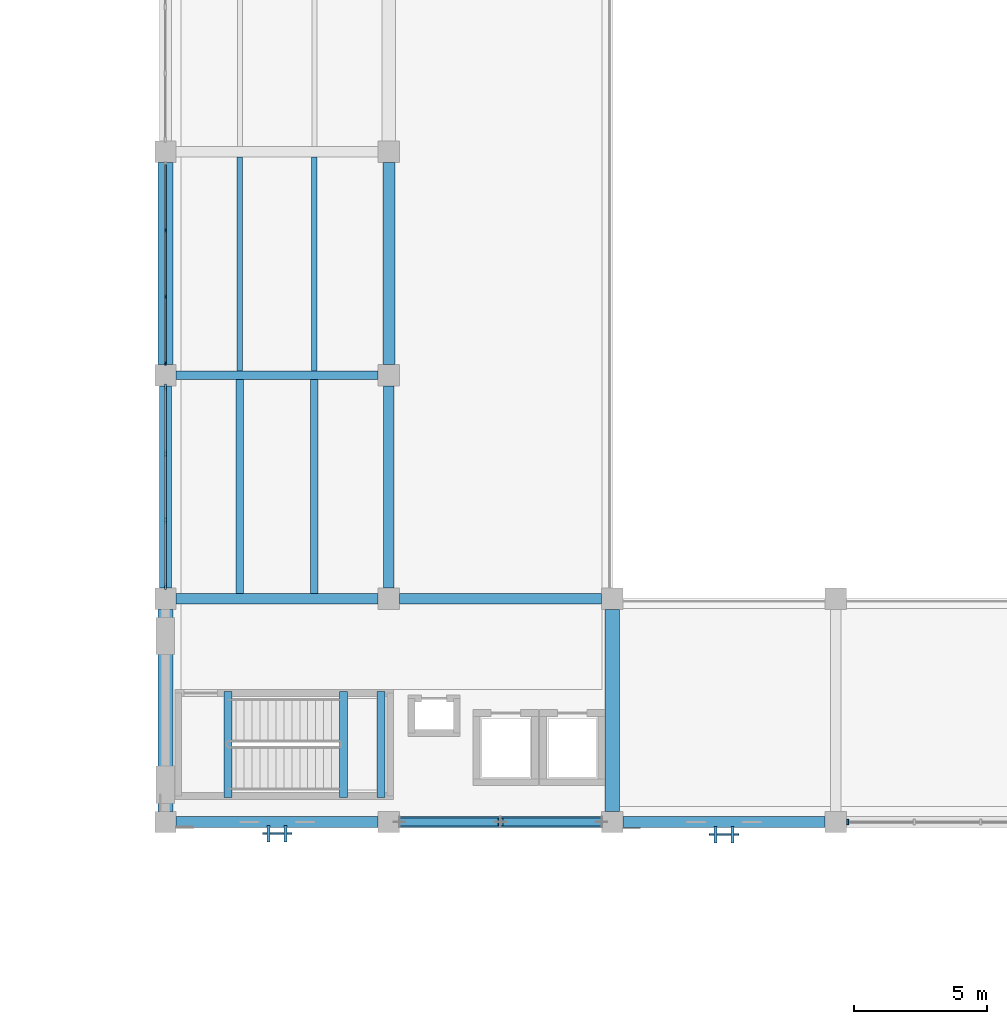
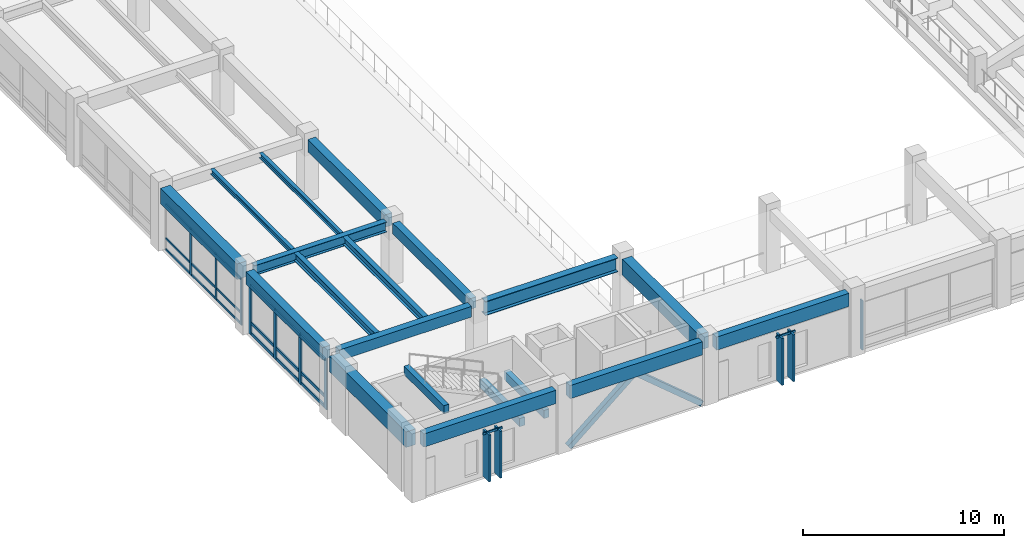
# One storey, part 9 of 132: 34 members, 19 beams, 5 elements without a shape of their own.
"""IFC4 building model written with IfcOpenShell, lengths in metres."""

from ifc_helpers import new_model, si_unit, direction, frame, origin, origin_2d, place, context, subcontext, project, spatial, rectangle, hollow_rectangle, i_section, extrude, material, material_profile, profile_set, type_object, element, aggregate, save


model = new_model("IFC4")

# Units and contexts
model_context = context("Model", 3, precision=1e-05, world=origin(), true_north=direction((0.0, 1.0)))
body_context = subcontext(model_context, "Body", "Model", "MODEL_VIEW")
ifc_project = project(units=[si_unit("LENGTHUNIT", "METRE"), si_unit("AREAUNIT", "SQUARE_METRE"), si_unit("VOLUMEUNIT", "CUBIC_METRE"), si_unit("PLANEANGLEUNIT", "RADIAN"), si_unit("MASSUNIT", "GRAM", prefix="KILO")], contexts=[model_context])

# Site, building, storey
site_placement = place(None, origin())
site = spatial("IfcSite", under=ifc_project, at=site_placement, CompositionType="ELEMENT")
building_placement = place(site_placement, origin())
building = spatial("IfcBuilding", under=site, at=building_placement, Name="Cumbredor Promenade Congress Hotel", CompositionType="ELEMENT")
storey_placement = place(building_placement, frame((0.0, 0.0, 7.56005859375)))
storey = spatial("IfcBuildingStorey", under=building, at=storey_placement, Name="L02", CompositionType="ELEMENT", Elevation=7.56005859375)

# Beams
ifc_material_1 = material(Name="Concrete C40/50", Category="concrete")
ifc_material_profile_1 = material_profile(ifc_material_1, rectangle(XDim=0.39990234375, YDim=0.64990234375, at=origin_2d()), Name="RC BEAM 400x650")
ifc_profile_set_1 = profile_set([ifc_material_profile_1], Name="Concrete C40/50")
beam_type_1 = type_object("IfcBeamType", Name="BM-RC-400x650", PredefinedType="BEAM", material=ifc_profile_set_1)
beam_1_placement = place(storey_placement, frame((8.800048828125, 16.800048828125, 3.474853515625), z_axis=(1.0, 0.0, 0.0), x_axis=(0.0, 1.0, 0.0)))
element("IfcBeam", 1, at=beam_1_placement, inside=storey, type_object=beam_type_1, Name="L03 X-Grid Beam 012", PredefinedType="BEAM", context=body_context, shape_type="SweptSolid", body=[
    extrude(rectangle(XDim=0.39990234375, YDim=0.64990234375, at=origin_2d()), origin(), (0.0, 0.0, 1.0), 7.599853515625),
])
beam_2_placement = place(storey_placement, frame((16.800048828125, 17.199951171875, 3.474853515625), z_axis=(0.0, 1.0, 0.0), x_axis=(-1.0, 0.0, 0.0)))
element("IfcBeam", 2, at=beam_2_placement, inside=storey, type_object=beam_type_1, Name="L03 Y-Grid Beam 036", PredefinedType="BEAM", context=body_context, shape_type="SweptSolid", body=[
    extrude(rectangle(XDim=0.39990234375, YDim=0.64990234375, at=origin_2d()), origin(), (0.0, 0.0, 1.0), 7.60009765625),
])
ifc_material_profile_2 = material_profile(ifc_material_1, rectangle(XDim=0.449951171875, YDim=0.75, at=origin_2d()), Name="RC BEAM 450x750")
ifc_profile_set_2 = profile_set([ifc_material_profile_2], Name="Concrete C40/50")
beam_type_2 = type_object("IfcBeamType", Name="BM-RC-450x750", PredefinedType="BEAM", material=ifc_profile_set_2)
beam_3_placement = place(storey_placement, frame((8.39990234375, 17.199951171875, 3.425048828125), z_axis=(0.0, 1.0, 0.0), x_axis=(-1.0, 0.0, 0.0)))
element("IfcBeam", 3, at=beam_3_placement, inside=storey, type_object=beam_type_2, Name="L03 Y-Grid Beam 013", PredefinedType="BEAM", context=body_context, shape_type="SweptSolid", body=[
    extrude(rectangle(XDim=0.449951171875, YDim=0.75, at=origin_2d()), origin(), (0.0, 0.0, 1.0), 7.60009765625),
])
beam_4_placement = place(storey_placement, frame((16.800048828125, 25.60009765625, 3.425048828125), z_axis=(0.0, 1.0, 0.0), x_axis=(-1.0, 0.0, 0.0)))
element("IfcBeam", 4, at=beam_4_placement, inside=storey, type_object=beam_type_2, Name="L03 Y-Grid Beam 037", PredefinedType="BEAM", context=body_context, shape_type="SweptSolid", body=[
    extrude(rectangle(XDim=0.449951171875, YDim=0.75, at=origin_2d()), origin(), (0.0, 0.0, 1.0), 7.599853515625),
])
ifc_material_profile_3 = material_profile(ifc_material_1, rectangle(XDim=0.550048828125, YDim=0.949951171875, at=origin_2d()), Name="RC BEAM 550x950")
ifc_profile_set_3 = profile_set([ifc_material_profile_3], Name="Concrete C40/50")
beam_type_3 = type_object("IfcBeamType", Name="BM-RC-550x950", PredefinedType="BEAM", material=ifc_profile_set_3)
for number, where, z_axis, x_axis, name in (
    (5, (8.39990234375, 8.800048828125, 3.324951171875), (0.0, 1.0, 0.0), (-1.0, 0.0, 0.0), "L03 Y-Grid Beam 011"),
    (6, (8.39990234375, 25.60009765625, 3.324951171875), (0.0, 1.0, 0.0), (-1.0, 0.0, 0.0), "L03 Y-Grid Beam 015"),
    (7, (25.199951171875, 8.800048828125, 3.324951171875), (0.0, 1.0, 0.0), (-1.0, 0.0, 0.0), "L03 Y-Grid Beam 051"),
):
    element("IfcBeam", number, at=place(storey_placement, frame(where, z_axis=z_axis, x_axis=x_axis)), inside=storey, type_object=beam_type_3, Name=name, PredefinedType="BEAM", context=body_context, shape_type="SweptSolid", body=[
        extrude(rectangle(XDim=0.550048828125, YDim=0.949951171875, at=origin_2d()), origin(), (0.0, 0.0, 1.0), 7.599853515625),
    ])
ifc_material_2 = material(Name="Steel ASTM A992 Grade 50", Category="steel")
ifc_material_profile_4 = material_profile(ifc_material_2, i_section(OverallWidth=0.323974609375, OverallDepth=0.611083984375, WebThickness=0.0126953125, FlangeThickness=0.01904296875, at=origin_2d()), Name="W24X104")
ifc_profile_set_4 = profile_set([ifc_material_profile_4], Name="Steel ASTM A992 Grade 50")
beam_type_4 = type_object("IfcBeamType", Name="BM-W24X104", PredefinedType="BEAM", material=ifc_profile_set_4)
beam_5_placement = place(storey_placement, frame((8.800048828125, 25.199951171875, 3.494384765625), z_axis=(1.0, 0.0, 0.0), x_axis=(0.0, 1.0, 0.0)))
element("IfcBeam", 8, at=beam_5_placement, inside=storey, type_object=beam_type_4, Name="L03 X-Grid Beam 014", PredefinedType="BEAM", context=body_context, shape_type="SweptSolid", body=[
    extrude(i_section(OverallWidth=0.323974609375, OverallDepth=0.611083984375, WebThickness=0.0126953125, FlangeThickness=0.01904296875, at=origin_2d()), origin(), (0.0, 0.0, 1.0), 7.599853515625),
])
ifc_material_profile_5 = material_profile(ifc_material_2, i_section(OverallWidth=0.39990234375, OverallDepth=0.85498046875, WebThickness=0.018310546875, FlangeThickness=0.029296875, at=origin_2d()), Name="W33X201")
ifc_profile_set_5 = profile_set([ifc_material_profile_5], Name="Steel ASTM A992 Grade 50")
beam_type_5 = type_object("IfcBeamType", Name="BM-W33X201", PredefinedType="BEAM", material=ifc_profile_set_5)
beam_6_placement = place(storey_placement, frame((17.199951171875, 16.800048828125, 3.37255859375), z_axis=(1.0, 0.0, 0.0), x_axis=(0.0, 1.0, 0.0)))
element("IfcBeam", 9, at=beam_6_placement, inside=storey, type_object=beam_type_5, Name="L03 X-Grid Beam 035", PredefinedType="BEAM", context=body_context, shape_type="SweptSolid", body=[
    extrude(i_section(OverallWidth=0.39990234375, OverallDepth=0.85498046875, WebThickness=0.018310546875, FlangeThickness=0.029296875, at=origin_2d()), origin(), (0.0, 0.0, 1.0), 7.60009765625),
])

# Curtain wall, members
ifc_material_3 = material(Name="Thermally broken anodized aluminium and low-E glass", Category="aluminium")
curtain_wall_type_1 = type_object("IfcCurtainWallType", Name="Unitised Bronze Curtain Wall CW-01", PredefinedType="NOTDEFINED", material=ifc_material_3)
curtain_wall_1_placement = place(storey_placement, origin())
curtain_wall_1 = element("IfcCurtainWall", 10, at=curtain_wall_1_placement, inside=storey, type_object=curtain_wall_type_1, Name="L02 Plenary Congress Hall West Curtain Wall 3", PredefinedType="NOTDEFINED")
ifc_material_4 = material(Name="Thermally broken anodized aluminium", Category="aluminium")
ifc_material_profile_6 = material_profile(ifc_material_4, rectangle(XDim=0.06494140625, YDim=0.159912109375, at=origin_2d()), Name="ALU MULLION 65x160")
ifc_profile_set_6 = profile_set([ifc_material_profile_6], Name="Thermally broken anodized aluminium")
member_type_1 = type_object("IfcMemberType", Name="Curtain Wall Mullion ML-01", PredefinedType="MULLION", material=ifc_profile_set_6)
member_1_placement = place(storey_placement, frame((8.39990234375, 25.655029296875, -0.008056640625), z_axis=(0.0, 0.0, 1.0), x_axis=(1.0, 0.0, 0.0)))
member_1 = element("IfcMember", 11, at=member_1_placement, type_object=member_type_1, Name="L02 Plenary Congress Hall West Curtain Wall 3 Mullion 1", PredefinedType="MULLION", context=body_context, shape_type="SweptSolid", body=[
    extrude(rectangle(XDim=0.06494140625, YDim=0.159912109375, at=origin_2d()), origin(), (0.0, 0.0, 1.0), 2.85107421875),
])
member_2_placement = place(storey_placement, frame((8.39990234375, 28.151611328125, -0.008056640625), z_axis=(0.0, 0.0, 1.0), x_axis=(1.0, 0.0, 0.0)))
member_2 = element("IfcMember", 12, at=member_2_placement, type_object=member_type_1, Name="L02 Plenary Congress Hall West Curtain Wall 3 Mullion 2", PredefinedType="MULLION", context=body_context, shape_type="SweptSolid", body=[
    extrude(rectangle(XDim=0.06494140625, YDim=0.159912109375, at=origin_2d()), origin(), (0.0, 0.0, 1.0), 2.85107421875),
])
member_3_placement = place(storey_placement, frame((8.39990234375, 30.648193359375, -0.008056640625), z_axis=(0.0, 0.0, 1.0), x_axis=(1.0, 0.0, 0.0)))
member_3 = element("IfcMember", 13, at=member_3_placement, type_object=member_type_1, Name="L02 Plenary Congress Hall West Curtain Wall 3 Mullion 3", PredefinedType="MULLION", context=body_context, shape_type="SweptSolid", body=[
    extrude(rectangle(XDim=0.06494140625, YDim=0.159912109375, at=origin_2d()), origin(), (0.0, 0.0, 1.0), 2.85107421875),
])

# Curtain wall, member
curtain_wall_2_placement = place(storey_placement, origin())
curtain_wall_2 = element("IfcCurtainWall", 14, at=curtain_wall_2_placement, inside=storey, type_object=curtain_wall_type_1, Name="L02 Plenary Congress Hall South Curtain Wall 4", PredefinedType="NOTDEFINED")
ifc_material_profile_7 = material_profile(ifc_material_4, rectangle(XDim=0.074951171875, YDim=0.199951171875, at=origin_2d()), Name="ALU MULLION 75x200")
ifc_profile_set_7 = profile_set([ifc_material_profile_7], Name="Thermally broken anodized aluminium")
member_type_2 = type_object("IfcMemberType", Name="Curtain Wall Mullion ML-02", PredefinedType="MULLION", material=ifc_profile_set_7)
member_4_placement = place(storey_placement, frame((34.054931640625, 8.39990234375, -0.008056640625), z_axis=(0.0, 0.0, 1.0), x_axis=(1.0, 0.0, 0.0)))
member_4 = element("IfcMember", 15, at=member_4_placement, type_object=member_type_2, Name="L02 Plenary Congress Hall South Curtain Wall 4 Mullion 1", PredefinedType="MULLION", context=body_context, shape_type="SweptSolid", body=[
    extrude(rectangle(XDim=0.074951171875, YDim=0.199951171875, at=origin_2d()), origin(), (0.0, 0.0, 1.0), 3.0009765625),
])
aggregate(curtain_wall_2, [member_4])

# Curtain wall, members
curtain_wall_3_placement = place(storey_placement, origin())
curtain_wall_3 = element("IfcCurtainWall", 16, at=curtain_wall_3_placement, inside=storey, type_object=curtain_wall_type_1, Name="L02 Plenary Congress Hall West Curtain Wall 2", PredefinedType="NOTDEFINED")
ifc_material_profile_8 = material_profile(ifc_material_4, rectangle(XDim=0.080078125, YDim=0.239990234375, at=origin_2d()), Name="ALU MULLION 80x240")
ifc_profile_set_8 = profile_set([ifc_material_profile_8], Name="Thermally broken anodized aluminium")
member_type_3 = type_object("IfcMemberType", Name="Curtain Wall Mullion ML-03", PredefinedType="MULLION", material=ifc_profile_set_8)
member_5_placement = place(storey_placement, frame((8.39990234375, 17.2548828125, -0.008056640625), z_axis=(0.0, 0.0, 1.0), x_axis=(1.0, 0.0, 0.0)))
member_5 = element("IfcMember", 17, at=member_5_placement, type_object=member_type_3, Name="L02 Plenary Congress Hall West Curtain Wall 2 Mullion 1", PredefinedType="MULLION", context=body_context, shape_type="SweptSolid", body=[
    extrude(rectangle(XDim=0.080078125, YDim=0.239990234375, at=origin_2d()), origin(), (0.0, 0.0, 1.0), 3.051025390625),
])
member_6_placement = place(storey_placement, frame((8.39990234375, 19.751708984375, -0.008056640625), z_axis=(0.0, 0.0, 1.0), x_axis=(1.0, 0.0, 0.0)))
member_6 = element("IfcMember", 18, at=member_6_placement, type_object=member_type_3, Name="L02 Plenary Congress Hall West Curtain Wall 2 Mullion 2", PredefinedType="MULLION", context=body_context, shape_type="SweptSolid", body=[
    extrude(rectangle(XDim=0.080078125, YDim=0.239990234375, at=origin_2d()), origin(), (0.0, 0.0, 1.0), 3.051025390625),
])
member_7_placement = place(storey_placement, frame((8.39990234375, 22.248291015625, -0.008056640625), z_axis=(0.0, 0.0, 1.0), x_axis=(1.0, 0.0, 0.0)))
member_7 = element("IfcMember", 19, at=member_7_placement, type_object=member_type_3, Name="L02 Plenary Congress Hall West Curtain Wall 2 Mullion 3", PredefinedType="MULLION", context=body_context, shape_type="SweptSolid", body=[
    extrude(rectangle(XDim=0.080078125, YDim=0.239990234375, at=origin_2d()), origin(), (0.0, 0.0, 1.0), 3.051025390625),
])
member_8_placement = place(storey_placement, frame((8.39990234375, 24.7451171875, -0.008056640625), z_axis=(0.0, 0.0, 1.0), x_axis=(1.0, 0.0, 0.0)))
member_8 = element("IfcMember", 20, at=member_8_placement, type_object=member_type_3, Name="L02 Plenary Congress Hall West Curtain Wall 2 Mullion 4", PredefinedType="MULLION", context=body_context, shape_type="SweptSolid", body=[
    extrude(rectangle(XDim=0.080078125, YDim=0.239990234375, at=origin_2d()), origin(), (0.0, 0.0, 1.0), 3.051025390625),
])

# Curtain wall, member
curtain_wall_type_2 = type_object("IfcCurtainWallType", Name="Solar Brise-Soleil Screen Assembly CW-07", PredefinedType="NOTDEFINED", material=ifc_material_3)
curtain_wall_4_placement = place(storey_placement, origin())
curtain_wall_4 = element("IfcCurtainWall", 21, at=curtain_wall_4_placement, inside=storey, type_object=curtain_wall_type_2, Name="L02 Pier Brise-Soleil Screen 0352", PredefinedType="NOTDEFINED")
ifc_material_profile_9 = material_profile(ifc_material_4, rectangle(XDim=0.06494140625, YDim=0.1298828125, at=origin_2d()), Name="ALU TRANSOM 65x130")
ifc_profile_set_9 = profile_set([ifc_material_profile_9], Name="Thermally broken anodized aluminium")
member_type_4 = type_object("IfcMemberType", Name="Curtain Wall Transom TR-01", PredefinedType="USERDEFINED", material=ifc_profile_set_9)
member_9_placement = place(storey_placement, frame((12.050048828125, 7.965087890625, 2.824951171875), z_axis=(1.0, 0.0, 0.0), x_axis=(0.0, 1.0, 0.0)))
member_9 = element("IfcMember", 22, at=member_9_placement, type_object=member_type_4, Name="L02 Pier Brise-Soleil Header 0354", ObjectType="TRANSOM", PredefinedType="USERDEFINED", context=body_context, shape_type="SweptSolid", body=[
    extrude(rectangle(XDim=0.06494140625, YDim=0.1298828125, at=origin_2d()), origin(), (0.0, 0.0, 1.0), 1.099853515625),
])

curtain_wall_5_placement = place(storey_placement, origin())
curtain_wall_5 = element("IfcCurtainWall", 23, at=curtain_wall_5_placement, inside=storey, type_object=curtain_wall_type_2, Name="L02 Pier Brise-Soleil Screen 0355", PredefinedType="NOTDEFINED")
member_10_placement = place(storey_placement, frame((28.85009765625, 7.927490234375, 2.824951171875), z_axis=(1.0, 0.0, 0.0), x_axis=(0.0, 1.0, 0.0)))
member_10 = element("IfcMember", 24, at=member_10_placement, type_object=member_type_4, Name="L02 Pier Brise-Soleil Header 0357", ObjectType="TRANSOM", PredefinedType="USERDEFINED", context=body_context, shape_type="SweptSolid", body=[
    extrude(rectangle(XDim=0.06494140625, YDim=0.1298828125, at=origin_2d()), origin(), (0.0, 0.0, 1.0), 1.099853515625),
])

# Member
member_11_placement = place(storey_placement, frame((8.39990234375, 25.6875, 0.06005859375), z_axis=(0.0, 1.0, 0.0), x_axis=(-1.0, 0.0, 0.0)))
member_11 = element("IfcMember", 25, at=member_11_placement, type_object=member_type_4, Name="L02 Plenary Congress Hall West Curtain Wall 3 Transom 1.1", ObjectType="TRANSOM", PredefinedType="USERDEFINED", context=body_context, shape_type="SweptSolid", body=[
    extrude(rectangle(XDim=0.06494140625, YDim=0.1298828125, at=origin_2d()), origin(), (0.0, 0.0, 1.0), 2.431640625),
])

member_12_placement = place(storey_placement, frame((8.39990234375, 25.6875, 0.719970703125), z_axis=(0.0, 1.0, 0.0), x_axis=(-1.0, 0.0, 0.0)))
member_12 = element("IfcMember", 26, at=member_12_placement, type_object=member_type_4, Name="L02 Plenary Congress Hall West Curtain Wall 3 Transom 1.2", ObjectType="TRANSOM", PredefinedType="USERDEFINED", context=body_context, shape_type="SweptSolid", body=[
    extrude(rectangle(XDim=0.06494140625, YDim=0.1298828125, at=origin_2d()), origin(), (0.0, 0.0, 1.0), 2.431640625),
])

member_13_placement = place(storey_placement, frame((8.39990234375, 25.6875, 2.77001953125), z_axis=(0.0, 1.0, 0.0), x_axis=(-1.0, 0.0, 0.0)))
member_13 = element("IfcMember", 27, at=member_13_placement, type_object=member_type_4, Name="L02 Plenary Congress Hall West Curtain Wall 3 Transom 1.3", ObjectType="TRANSOM", PredefinedType="USERDEFINED", context=body_context, shape_type="SweptSolid", body=[
    extrude(rectangle(XDim=0.06494140625, YDim=0.1298828125, at=origin_2d()), origin(), (0.0, 0.0, 1.0), 2.431640625),
])

member_14_placement = place(storey_placement, frame((8.39990234375, 28.18408203125, 0.06005859375), z_axis=(0.0, 1.0, 0.0), x_axis=(-1.0, 0.0, 0.0)))
member_14 = element("IfcMember", 28, at=member_14_placement, type_object=member_type_4, Name="L02 Plenary Congress Hall West Curtain Wall 3 Transom 2.1", ObjectType="TRANSOM", PredefinedType="USERDEFINED", context=body_context, shape_type="SweptSolid", body=[
    extrude(rectangle(XDim=0.06494140625, YDim=0.1298828125, at=origin_2d()), origin(), (0.0, 0.0, 1.0), 2.431640625),
])

member_15_placement = place(storey_placement, frame((8.39990234375, 28.18408203125, 0.719970703125), z_axis=(0.0, 1.0, 0.0), x_axis=(-1.0, 0.0, 0.0)))
member_15 = element("IfcMember", 29, at=member_15_placement, type_object=member_type_4, Name="L02 Plenary Congress Hall West Curtain Wall 3 Transom 2.2", ObjectType="TRANSOM", PredefinedType="USERDEFINED", context=body_context, shape_type="SweptSolid", body=[
    extrude(rectangle(XDim=0.06494140625, YDim=0.1298828125, at=origin_2d()), origin(), (0.0, 0.0, 1.0), 2.431640625),
])

member_16_placement = place(storey_placement, frame((8.39990234375, 28.18408203125, 2.77001953125), z_axis=(0.0, 1.0, 0.0), x_axis=(-1.0, 0.0, 0.0)))
member_16 = element("IfcMember", 30, at=member_16_placement, type_object=member_type_4, Name="L02 Plenary Congress Hall West Curtain Wall 3 Transom 2.3", ObjectType="TRANSOM", PredefinedType="USERDEFINED", context=body_context, shape_type="SweptSolid", body=[
    extrude(rectangle(XDim=0.06494140625, YDim=0.1298828125, at=origin_2d()), origin(), (0.0, 0.0, 1.0), 2.431640625),
])

member_17_placement = place(storey_placement, frame((8.39990234375, 30.680908203125, 0.06005859375), z_axis=(0.0, 1.0, 0.0), x_axis=(-1.0, 0.0, 0.0)))
member_17 = element("IfcMember", 31, at=member_17_placement, type_object=member_type_4, Name="L02 Plenary Congress Hall West Curtain Wall 3 Transom 3.1", ObjectType="TRANSOM", PredefinedType="USERDEFINED", context=body_context, shape_type="SweptSolid", body=[
    extrude(rectangle(XDim=0.06494140625, YDim=0.1298828125, at=origin_2d()), origin(), (0.0, 0.0, 1.0), 2.431640625),
])

member_18_placement = place(storey_placement, frame((8.39990234375, 30.680908203125, 0.719970703125), z_axis=(0.0, 1.0, 0.0), x_axis=(-1.0, 0.0, 0.0)))
member_18 = element("IfcMember", 32, at=member_18_placement, type_object=member_type_4, Name="L02 Plenary Congress Hall West Curtain Wall 3 Transom 3.2", ObjectType="TRANSOM", PredefinedType="USERDEFINED", context=body_context, shape_type="SweptSolid", body=[
    extrude(rectangle(XDim=0.06494140625, YDim=0.1298828125, at=origin_2d()), origin(), (0.0, 0.0, 1.0), 2.431640625),
])

member_19_placement = place(storey_placement, frame((8.39990234375, 30.680908203125, 2.77001953125), z_axis=(0.0, 1.0, 0.0), x_axis=(-1.0, 0.0, 0.0)))
member_19 = element("IfcMember", 33, at=member_19_placement, type_object=member_type_4, Name="L02 Plenary Congress Hall West Curtain Wall 3 Transom 3.3", ObjectType="TRANSOM", PredefinedType="USERDEFINED", context=body_context, shape_type="SweptSolid", body=[
    extrude(rectangle(XDim=0.06494140625, YDim=0.1298828125, at=origin_2d()), origin(), (0.0, 0.0, 1.0), 2.431640625),
])

aggregate(curtain_wall_1, [member_1, member_2, member_3, member_11, member_12, member_13, member_14, member_15, member_16, member_17, member_18, member_19])

ifc_material_profile_10 = material_profile(ifc_material_4, rectangle(XDim=0.080078125, YDim=0.179931640625, at=origin_2d()), Name="ALU TRANSOM 80x180")
ifc_profile_set_10 = profile_set([ifc_material_profile_10], Name="Thermally broken anodized aluminium")
member_type_5 = type_object("IfcMemberType", Name="Curtain Wall Transom TR-03", PredefinedType="USERDEFINED", material=ifc_profile_set_10)
member_20_placement = place(storey_placement, frame((8.39990234375, 17.294921875, 0.08984375), z_axis=(0.0, 1.0, 0.0), x_axis=(-1.0, 0.0, 0.0)))
member_20 = element("IfcMember", 34, at=member_20_placement, type_object=member_type_5, Name="L02 Plenary Congress Hall West Curtain Wall 2 Transom 1.1", ObjectType="TRANSOM", PredefinedType="USERDEFINED", context=body_context, shape_type="SweptSolid", body=[
    extrude(rectangle(XDim=0.080078125, YDim=0.179931640625, at=origin_2d()), origin(), (0.0, 0.0, 1.0), 2.416748046875),
])

member_21_placement = place(storey_placement, frame((8.39990234375, 17.294921875, 0.719970703125), z_axis=(0.0, 1.0, 0.0), x_axis=(-1.0, 0.0, 0.0)))
member_21 = element("IfcMember", 35, at=member_21_placement, type_object=member_type_5, Name="L02 Plenary Congress Hall West Curtain Wall 2 Transom 1.2", ObjectType="TRANSOM", PredefinedType="USERDEFINED", context=body_context, shape_type="SweptSolid", body=[
    extrude(rectangle(XDim=0.080078125, YDim=0.179931640625, at=origin_2d()), origin(), (0.0, 0.0, 1.0), 2.416748046875),
])

member_22_placement = place(storey_placement, frame((8.39990234375, 17.294921875, 2.949951171875), z_axis=(0.0, 1.0, 0.0), x_axis=(-1.0, 0.0, 0.0)))
member_22 = element("IfcMember", 36, at=member_22_placement, type_object=member_type_5, Name="L02 Plenary Congress Hall West Curtain Wall 2 Transom 1.3", ObjectType="TRANSOM", PredefinedType="USERDEFINED", context=body_context, shape_type="SweptSolid", body=[
    extrude(rectangle(XDim=0.080078125, YDim=0.179931640625, at=origin_2d()), origin(), (0.0, 0.0, 1.0), 2.416748046875),
])

member_23_placement = place(storey_placement, frame((8.39990234375, 19.791748046875, 0.08984375), z_axis=(0.0, 1.0, 0.0), x_axis=(-1.0, 0.0, 0.0)))
member_23 = element("IfcMember", 37, at=member_23_placement, type_object=member_type_5, Name="L02 Plenary Congress Hall West Curtain Wall 2 Transom 2.1", ObjectType="TRANSOM", PredefinedType="USERDEFINED", context=body_context, shape_type="SweptSolid", body=[
    extrude(rectangle(XDim=0.080078125, YDim=0.179931640625, at=origin_2d()), origin(), (0.0, 0.0, 1.0), 2.41650390625),
])

member_24_placement = place(storey_placement, frame((8.39990234375, 19.791748046875, 0.719970703125), z_axis=(0.0, 1.0, 0.0), x_axis=(-1.0, 0.0, 0.0)))
member_24 = element("IfcMember", 38, at=member_24_placement, type_object=member_type_5, Name="L02 Plenary Congress Hall West Curtain Wall 2 Transom 2.2", ObjectType="TRANSOM", PredefinedType="USERDEFINED", context=body_context, shape_type="SweptSolid", body=[
    extrude(rectangle(XDim=0.080078125, YDim=0.179931640625, at=origin_2d()), origin(), (0.0, 0.0, 1.0), 2.41650390625),
])

member_25_placement = place(storey_placement, frame((8.39990234375, 19.791748046875, 2.949951171875), z_axis=(0.0, 1.0, 0.0), x_axis=(-1.0, 0.0, 0.0)))
member_25 = element("IfcMember", 39, at=member_25_placement, type_object=member_type_5, Name="L02 Plenary Congress Hall West Curtain Wall 2 Transom 2.3", ObjectType="TRANSOM", PredefinedType="USERDEFINED", context=body_context, shape_type="SweptSolid", body=[
    extrude(rectangle(XDim=0.080078125, YDim=0.179931640625, at=origin_2d()), origin(), (0.0, 0.0, 1.0), 2.41650390625),
])

member_26_placement = place(storey_placement, frame((8.39990234375, 22.288330078125, 0.08984375), z_axis=(0.0, 1.0, 0.0), x_axis=(-1.0, 0.0, 0.0)))
member_26 = element("IfcMember", 40, at=member_26_placement, type_object=member_type_5, Name="L02 Plenary Congress Hall West Curtain Wall 2 Transom 3.1", ObjectType="TRANSOM", PredefinedType="USERDEFINED", context=body_context, shape_type="SweptSolid", body=[
    extrude(rectangle(XDim=0.080078125, YDim=0.179931640625, at=origin_2d()), origin(), (0.0, 0.0, 1.0), 2.416748046875),
])

member_27_placement = place(storey_placement, frame((8.39990234375, 22.288330078125, 0.719970703125), z_axis=(0.0, 1.0, 0.0), x_axis=(-1.0, 0.0, 0.0)))
member_27 = element("IfcMember", 41, at=member_27_placement, type_object=member_type_5, Name="L02 Plenary Congress Hall West Curtain Wall 2 Transom 3.2", ObjectType="TRANSOM", PredefinedType="USERDEFINED", context=body_context, shape_type="SweptSolid", body=[
    extrude(rectangle(XDim=0.080078125, YDim=0.179931640625, at=origin_2d()), origin(), (0.0, 0.0, 1.0), 2.416748046875),
])

member_28_placement = place(storey_placement, frame((8.39990234375, 22.288330078125, 2.949951171875), z_axis=(0.0, 1.0, 0.0), x_axis=(-1.0, 0.0, 0.0)))
member_28 = element("IfcMember", 42, at=member_28_placement, type_object=member_type_5, Name="L02 Plenary Congress Hall West Curtain Wall 2 Transom 3.3", ObjectType="TRANSOM", PredefinedType="USERDEFINED", context=body_context, shape_type="SweptSolid", body=[
    extrude(rectangle(XDim=0.080078125, YDim=0.179931640625, at=origin_2d()), origin(), (0.0, 0.0, 1.0), 2.416748046875),
])

aggregate(curtain_wall_3, [member_5, member_6, member_7, member_8, member_20, member_21, member_22, member_23, member_24, member_25, member_26, member_27, member_28])

# Beams
ifc_material_profile_11 = material_profile(ifc_material_2, i_section(OverallWidth=0.202880859375, OverallDepth=0.302978515625, WebThickness=0.007568359375, FlangeThickness=0.01318359375, at=origin_2d()), Name="W12X40")
ifc_profile_set_11 = profile_set([ifc_material_profile_11], Name="Steel ASTM A992 Grade 50")
beam_type_6 = type_object("IfcBeamType", Name="JST-W12X40", PredefinedType="JOIST", material=ifc_profile_set_11)
for number, where, z_axis, x_axis, name in (
    (43, (11.199951171875, 25.362060546875, 3.6484375), (0.0, 1.0, 0.0), (-1.0, 0.0, 0.0), "L03 Secondary Floor Joist 0011"),
    (44, (14.0, 25.362060546875, 3.6484375), (0.0, 1.0, 0.0), (-1.0, 0.0, 0.0), "L03 Secondary Floor Joist 0012"),
):
    element("IfcBeam", number, at=place(storey_placement, frame(where, z_axis=z_axis, x_axis=x_axis)), inside=storey, type_object=beam_type_6, Name=name, PredefinedType="JOIST", context=body_context, shape_type="SweptSolid", body=[
        extrude(i_section(OverallWidth=0.202880859375, OverallDepth=0.302978515625, WebThickness=0.007568359375, FlangeThickness=0.01318359375, at=origin_2d()), origin(), (0.0, 0.0, 1.0), 8.037841796875),
    ])
ifc_material_profile_12 = material_profile(ifc_material_2, i_section(OverallWidth=0.280029296875, OverallDepth=0.462890625, WebThickness=0.0107421875, FlangeThickness=0.017333984375, at=origin_2d()), Name="W18X76")
ifc_profile_set_12 = profile_set([ifc_material_profile_12], Name="Steel ASTM A992 Grade 50")
beam_type_7 = type_object("IfcBeamType", Name="JST-W18X76", PredefinedType="JOIST", material=ifc_profile_set_12)
for number, where, z_axis, x_axis, name in (
    (45, (11.199951171875, 17.0, 3.568359375), (0.0, 1.0, 0.0), (-1.0, 0.0, 0.0), "L03 Secondary Floor Joist 0009"),
    (46, (14.0, 17.0, 3.568359375), (0.0, 1.0, 0.0), (-1.0, 0.0, 0.0), "L03 Secondary Floor Joist 0010"),
):
    element("IfcBeam", number, at=place(storey_placement, frame(where, z_axis=z_axis, x_axis=x_axis)), inside=storey, type_object=beam_type_7, Name=name, PredefinedType="JOIST", context=body_context, shape_type="SweptSolid", body=[
        extrude(i_section(OverallWidth=0.280029296875, OverallDepth=0.462890625, WebThickness=0.0107421875, FlangeThickness=0.017333984375, at=origin_2d()), origin(), (0.0, 0.0, 1.0), 8.0380859375),
    ])
ifc_material_profile_13 = material_profile(ifc_material_1, rectangle(XDim=0.300048828125, YDim=0.5, at=origin_2d()), Name="RC LINTEL 300x500")
ifc_profile_set_13 = profile_set([ifc_material_profile_13], Name="Concrete C40/50")
beam_type_8 = type_object("IfcBeamType", Name="LN-RC-300x500", PredefinedType="LINTEL", material=ifc_profile_set_13)
for number, where, z_axis, x_axis, name in (
    (47, (16.5, 9.330078125, 1.64990234375), (0.0, 1.0, 0.0), (-1.0, 0.0, 0.0), "L02 Stair ST-04 Landing Ledger Beam E"),
    (48, (15.10009765625, 9.330078125, 1.64990234375), (0.0, 1.0, 0.0), (-1.0, 0.0, 0.0), "L02 Stair ST-04 Landing Ledger Beam W"),
    (49, (10.75, 9.330078125, 3.949951171875), (0.0, 1.0, 0.0), (-1.0, 0.0, 0.0), "L03 Stair ST-04 Well Header Trimmer Beam"),
):
    element("IfcBeam", number, at=place(storey_placement, frame(where, z_axis=z_axis, x_axis=x_axis)), inside=storey, type_object=beam_type_8, Name=name, PredefinedType="LINTEL", context=body_context, shape_type="SweptSolid", body=[
        extrude(rectangle(XDim=0.300048828125, YDim=0.5, at=origin_2d()), origin(), (0.0, 0.0, 1.0), 3.969970703125),
    ])
ifc_material_profile_14 = material_profile(ifc_material_1, rectangle(XDim=0.39990234375, YDim=0.800048828125, at=origin_2d()), Name="RC SPANDREL 400x800")
ifc_profile_set_14 = profile_set([ifc_material_profile_14], Name="Concrete C40/50")
beam_type_9 = type_object("IfcBeamType", Name="SP-RC-400x800", PredefinedType="SPANDREL", material=ifc_profile_set_14)
beam_7_placement = place(storey_placement, frame((8.800048828125, 8.39990234375, 3.39990234375), z_axis=(1.0, 0.0, 0.0), x_axis=(0.0, 1.0, 0.0)))
element("IfcBeam", 50, at=beam_7_placement, inside=storey, type_object=beam_type_9, Name="L03 X-Grid Beam 010", PredefinedType="SPANDREL", context=body_context, shape_type="SweptSolid", body=[
    extrude(rectangle(XDim=0.39990234375, YDim=0.800048828125, at=origin_2d()), origin(), (0.0, 0.0, 1.0), 7.599853515625),
])
beam_8_placement = place(storey_placement, frame((17.199951171875, 8.39990234375, 3.39990234375), z_axis=(1.0, 0.0, 0.0), x_axis=(0.0, 1.0, 0.0)))
element("IfcBeam", 51, at=beam_8_placement, inside=storey, type_object=beam_type_9, Name="L03 X-Grid Beam 034", PredefinedType="SPANDREL", context=body_context, shape_type="SweptSolid", body=[
    extrude(rectangle(XDim=0.39990234375, YDim=0.800048828125, at=origin_2d()), origin(), (0.0, 0.0, 1.0), 7.60009765625),
])
beam_9_placement = place(storey_placement, frame((25.60009765625, 8.39990234375, 3.39990234375), z_axis=(1.0, 0.0, 0.0), x_axis=(0.0, 1.0, 0.0)))
element("IfcBeam", 52, at=beam_9_placement, inside=storey, type_object=beam_type_9, Name="L03 X-Grid Beam 050", PredefinedType="SPANDREL", context=body_context, shape_type="SweptSolid", body=[
    extrude(rectangle(XDim=0.39990234375, YDim=0.800048828125, at=origin_2d()), origin(), (0.0, 0.0, 1.0), 7.599853515625),
])

# Members
ifc_material_5 = material(Name="Steel ASTM A500 Grade C", Category="steel")
ifc_material_profile_15 = material_profile(ifc_material_5, hollow_rectangle(XDim=0.300048828125, YDim=0.300048828125, WallThickness=0.01611328125, at=origin_2d()), Name="HSS 300x300x16")
ifc_profile_set_15 = profile_set([ifc_material_profile_15], Name="Steel ASTM A500 Grade C")
member_type_6 = type_object("IfcMemberType", Name="Seismic Frame Brace CBF-1", PredefinedType="BRACE", material=ifc_profile_set_15)
for number, where, z_axis, x_axis, name in (
    (53, (17.199951171875, 8.39990234375, 0.0), (0.765913240565, 0.0, 0.642943938402), (0.0, 1.0, 0.0), "L02 Chevron Seismic Brace 17A"),
    (54, (24.800048828125, 8.39990234375, 0.0), (-0.765913240565, 0.0, 0.642943938402), (0.0, -1.0, 0.0), "L02 Chevron Seismic Brace 17B"),
):
    element("IfcMember", number, at=place(storey_placement, frame(where, z_axis=z_axis, x_axis=x_axis)), inside=storey, type_object=member_type_6, Name=name, PredefinedType="BRACE", context=body_context, shape_type="SweptSolid", body=[
        extrude(hollow_rectangle(XDim=0.300048828125, YDim=0.300048828125, WallThickness=0.01611328125, at=origin_2d()), origin(), (0.0, 0.0, 1.0), 4.96142578125),
    ])

# Member
ifc_material_profile_16 = material_profile(ifc_material_4, rectangle(XDim=0.110107421875, YDim=0.6201171875, at=origin_2d()), Name="ARCH FIN 110x620")
ifc_profile_set_16 = profile_set([ifc_material_profile_16], Name="Thermally broken anodized aluminium")
member_type_7 = type_object("IfcMemberType", Name="Vertical Bronze Brise-Soleil Fin BSF-02 110x620", PredefinedType="USERDEFINED", material=ifc_profile_set_16)
member_29_placement = place(storey_placement, frame((12.280029296875, 7.965087890625, 0.02001953125), z_axis=(0.0, 0.0, 1.0), x_axis=(1.0, 0.0, 0.0)))
member_29 = element("IfcMember", 55, at=member_29_placement, type_object=member_type_7, Name="L02 Pier Brise-Soleil Fin 0353", ObjectType="SOLAR FIN", PredefinedType="USERDEFINED", context=body_context, shape_type="SweptSolid", body=[
    extrude(rectangle(XDim=0.110107421875, YDim=0.6201171875, at=origin_2d()), origin(), (0.0, 0.0, 1.0), 2.844970703125),
])

member_30_placement = place(storey_placement, frame((12.919921875, 7.965087890625, 0.02001953125), z_axis=(0.0, 0.0, 1.0), x_axis=(1.0, 0.0, 0.0)))
member_30 = element("IfcMember", 56, at=member_30_placement, type_object=member_type_7, Name="L02 Pier Brise-Soleil Fin 0354", ObjectType="SOLAR FIN", PredefinedType="USERDEFINED", context=body_context, shape_type="SweptSolid", body=[
    extrude(rectangle(XDim=0.110107421875, YDim=0.6201171875, at=origin_2d()), origin(), (0.0, 0.0, 1.0), 2.844970703125),
])

aggregate(curtain_wall_4, [member_29, member_30, member_9])

member_31_placement = place(storey_placement, frame((29.080078125, 7.927490234375, 0.02001953125), z_axis=(0.0, 0.0, 1.0), x_axis=(1.0, 0.0, 0.0)))
member_31 = element("IfcMember", 57, at=member_31_placement, type_object=member_type_7, Name="L02 Pier Brise-Soleil Fin 0356", ObjectType="SOLAR FIN", PredefinedType="USERDEFINED", context=body_context, shape_type="SweptSolid", body=[
    extrude(rectangle(XDim=0.110107421875, YDim=0.6201171875, at=origin_2d()), origin(), (0.0, 0.0, 1.0), 2.844970703125),
])

member_32_placement = place(storey_placement, frame((29.719970703125, 7.927490234375, 0.02001953125), z_axis=(0.0, 0.0, 1.0), x_axis=(1.0, 0.0, 0.0)))
member_32 = element("IfcMember", 58, at=member_32_placement, type_object=member_type_7, Name="L02 Pier Brise-Soleil Fin 0357", ObjectType="SOLAR FIN", PredefinedType="USERDEFINED", context=body_context, shape_type="SweptSolid", body=[
    extrude(rectangle(XDim=0.110107421875, YDim=0.6201171875, at=origin_2d()), origin(), (0.0, 0.0, 1.0), 2.844970703125),
])

aggregate(curtain_wall_5, [member_31, member_32, member_10])

save(model, "model.ifc")
